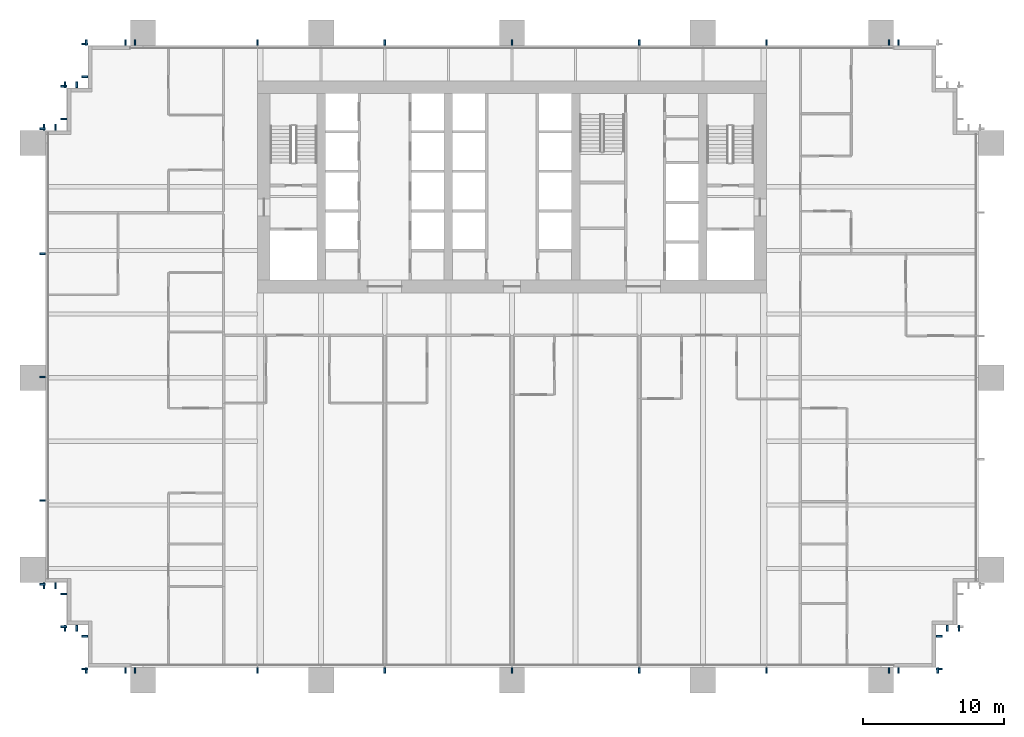
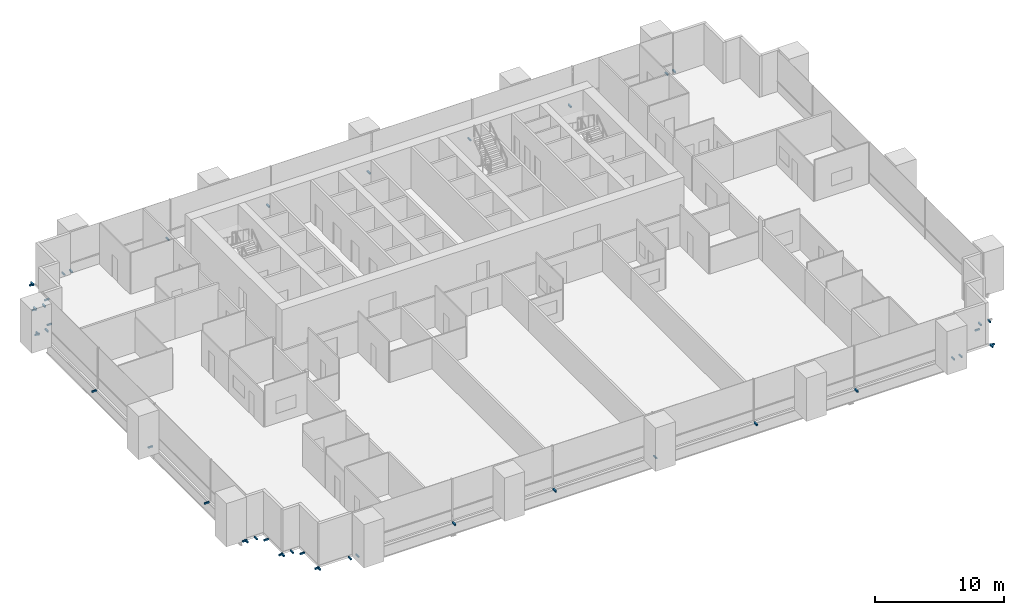
# One storey, part 16 of 18: 46 discrete accessories.
"""IFC4 building model written with IfcOpenShell, lengths in metres."""

import ifcopenshell
import ifcopenshell.guid

model = None  # the IFC model being written
_history = None  # IfcOwnerHistory: only IFC2X3 demands one
_inside = {}  # id of a spatial element -> (the spatial element, [elements in it])
_under = {}  # id of a project, library or spatial element -> (it, [spatial elements below it])
_declared = {}  # id of a project -> (the project, [libraries it declares])
_typed = {}  # id of a type object -> (the type object, [elements of that type])
_made_of = {}  # id of a material, layer set ... -> (it, [elements and type objects made of it])


def new_model(schema):
    """Start an empty IFC model of exactly this schema.

    Asked for "IFC4X3", IfcOpenShell would pick the latest addendum, in which some entities
    have other attributes; the version numbers below select the first issue.
    IFC2X3 requires an IfcOwnerHistory on every rooted entity: one is made here for all.
    """
    global model, _history
    if schema == "IFC4X3":
        model = ifcopenshell.file(schema_version=(4, 3, 0, 0))
    else:
        model = ifcopenshell.file(schema=schema)
    _inside.clear()
    _under.clear()
    _declared.clear()
    _typed.clear()
    _made_of.clear()
    _history = None
    if model.schema == "IFC2X3":
        org = make("IfcOrganization", Name="unknown")
        user = make(
            "IfcPersonAndOrganization",
            ThePerson=make("IfcPerson", FamilyName="unknown"),
            TheOrganization=org,
        )
        app = make(
            "IfcApplication",
            ApplicationDeveloper=org,
            Version="unknown",
            ApplicationFullName="unknown",
            ApplicationIdentifier="unknown",
        )
        _history = make(
            "IfcOwnerHistory",
            OwningUser=user,
            OwningApplication=app,
            ChangeAction="ADDED",
            CreationDate=0,
        )
    return model


def make(cls, **values):
    """One entity of the class cls with the attributes given. An attribute that is None is left unset."""
    return model.create_entity(
        cls, **{name: value for name, value in values.items() if value is not None}
    )


def rooted(cls, **values):
    """An entity with a GlobalId (a new one), such as an element, a storey or a relation."""
    return make(cls, GlobalId=ifcopenshell.guid.new(), OwnerHistory=_history, **values)


def si_unit(unit_type, name, prefix=None):
    """IfcSIUnit, for example si_unit("LENGTHUNIT", "METRE", prefix="MILLI")."""
    return make("IfcSIUnit", UnitType=unit_type, Prefix=prefix, Name=name)


def assignment(units):
    """IfcUnitAssignment: the units of a project."""
    return None if units is None else make("IfcUnitAssignment", Units=units)


def point(xyz):
    """IfcCartesianPoint."""
    return None if xyz is None else make("IfcCartesianPoint", Coordinates=xyz)


def direction(xyz):
    """IfcDirection."""
    return None if xyz is None else make("IfcDirection", DirectionRatios=xyz)


def frame(location, z_axis=None, x_axis=None):
    """IfcAxis2Placement3D, a coordinate frame: its origin and axes. An axis left out is left unset."""
    return make(
        "IfcAxis2Placement3D",
        Location=point(location),
        Axis=direction(z_axis),
        RefDirection=direction(x_axis),
    )


def frame_2d(location, x_axis=None):
    """IfcAxis2Placement2D, a coordinate frame in the plane: its origin and x axis."""
    return make(
        "IfcAxis2Placement2D", Location=point(location), RefDirection=direction(x_axis)
    )


def origin():
    """The frame at (0, 0, 0) with its axes left unset."""
    return frame((0.0, 0.0, 0.0))


def origin_2d():
    """The frame at (0, 0) in the plane with its x axis left unset."""
    return frame_2d((0.0, 0.0))


def place(relative_to, where):
    """IfcLocalPlacement: puts the frame where relative to a parent placement (None: the world)."""
    return make(
        "IfcLocalPlacement", PlacementRelTo=relative_to, RelativePlacement=where
    )


def context(
    kind, dimensions, precision=None, world=None, true_north=None, identifier=None
):
    """IfcGeometricRepresentationContext, for example the 3D "Model" context."""
    return make(
        "IfcGeometricRepresentationContext",
        ContextIdentifier=identifier,
        ContextType=kind,
        CoordinateSpaceDimension=dimensions,
        Precision=precision,
        WorldCoordinateSystem=world,
        TrueNorth=true_north,
    )


def subcontext(parent, identifier, kind, view, scale=None):
    """IfcGeometricRepresentationSubContext, for example "Body" below "Model"."""
    return make(
        "IfcGeometricRepresentationSubContext",
        ContextIdentifier=identifier,
        ContextType=kind,
        ParentContext=parent,
        TargetScale=scale,
        TargetView=view,
    )


def project(units=None, contexts=None):
    """IfcProject with its units and contexts."""
    return rooted(
        "IfcProject",
        Name="project",
        RepresentationContexts=contexts,
        UnitsInContext=assignment(units),
    )


def spatial(cls, under=None, at=None, **own):
    """A site, building, storey or space (cls), placed at a placement, below another one or the project."""
    s = rooted(cls, ObjectPlacement=at, **own)
    if under is not None:
        _under.setdefault(under.id(), (under, []))[1].append(s)
    return s


def profile(cls, at=None, kind="AREA", **sizes):
    """A parametric profile (cls). Its sizes go by their IFC names, for example OverallWidth=200.0."""
    return make(cls, ProfileType=kind, Position=at, **sizes)


def rectangle(**sizes):
    """IfcRectangleProfileDef."""
    return profile("IfcRectangleProfileDef", **sizes)


def extrude(swept, where, along, depth):
    """IfcExtrudedAreaSolid: the profile swept, set in the frame where, extruded along a direction by depth."""
    return make(
        "IfcExtrudedAreaSolid",
        SweptArea=swept,
        Position=where,
        ExtrudedDirection=direction(along),
        Depth=depth,
    )


def shape(context_of_items, identifier, shape_type, items):
    """IfcShapeRepresentation: the items that make up one representation, for example the "Body"."""
    return make(
        "IfcShapeRepresentation",
        ContextOfItems=context_of_items,
        RepresentationIdentifier=identifier,
        RepresentationType=shape_type,
        Items=items,
    )


def made_of(thing, what):
    """Note that an element or type object is made of a material, layer set ...; save() writes the relation."""
    if what is not None:
        _made_of.setdefault(what.id(), (what, []))[1].append(thing)
    return thing


def element(
    cls,
    number,
    at=None,
    inside=None,
    cuts=None,
    type_object=None,
    material=None,
    context=None,
    identifier="Body",
    shape_type=None,
    held_by="IfcProductDefinitionShape",
    body=None,
    shapes=None,
    **own,
):
    """One element of the class cls, such as IfcWall. Its Tag is "e" and its number.

    at: its placement. inside: the storey or other place that contains it. cuts: it is an
    opening in that element (IfcRelVoidsElement). A single representation is given by context,
    identifier, shape_type and body (its items); several are given by shapes. held_by: the class
    of the entity that holds the representations. save() writes the other relations.
    """
    e = rooted(cls, Tag="e%d" % number, ObjectPlacement=at, **own)
    if body is not None:
        shapes = [shape(context, identifier, shape_type, body)]
    if shapes is not None:
        e.Representation = make(held_by, Representations=shapes)
    if inside is not None:
        _inside.setdefault(inside.id(), (inside, []))[1].append(e)
    if cuts is not None:
        rooted(
            "IfcRelVoidsElement", RelatingBuildingElement=cuts, RelatedOpeningElement=e
        )
    if type_object is not None:
        _typed.setdefault(type_object.id(), (type_object, []))[1].append(e)
    return made_of(e, material)


def aggregate(whole, parts):
    """IfcRelAggregates: a whole, such as a stair, and the parts it consists of."""
    return rooted("IfcRelAggregates", RelatingObject=whole, RelatedObjects=parts)


def save(model, path):
    """Write the relations noted so far, then the file.

    IfcRelAggregates (storeys below a building ...), IfcRelContainedInSpatialStructure (elements
    in a storey), IfcRelDefinesByType, IfcRelAssociatesMaterial and IfcRelDeclares: one each for
    every whole, place, type object, material and project.
    """
    for whole, parts in _under.values():
        aggregate(whole, parts)
    for where, things in _inside.values():
        rooted(
            "IfcRelContainedInSpatialStructure",
            RelatedElements=things,
            RelatingStructure=where,
        )
    for kind, things in _typed.values():
        rooted("IfcRelDefinesByType", RelatedObjects=things, RelatingType=kind)
    for what, things in _made_of.values():
        rooted("IfcRelAssociatesMaterial", RelatedObjects=things, RelatingMaterial=what)
    for by, libraries in _declared.values():
        rooted("IfcRelDeclares", RelatingContext=by, RelatedDefinitions=libraries)
    model.write(path)


model = new_model("IFC4")

# Units and contexts
model_context = context("Model", 3, precision=1e-05, world=origin(), true_north=direction((0.0, 1.0)))
body_context = subcontext(model_context, "Body", "Model", "MODEL_VIEW")
ifc_project = project(units=[si_unit("LENGTHUNIT", "METRE"), si_unit("AREAUNIT", "SQUARE_METRE"), si_unit("VOLUMEUNIT", "CUBIC_METRE"), si_unit("PLANEANGLEUNIT", "RADIAN"), si_unit("MASSUNIT", "GRAM", prefix="KILO")], contexts=[model_context])

# Site, building, storey
site_placement = place(None, origin())
site = spatial("IfcSite", under=ifc_project, at=site_placement, CompositionType="ELEMENT")
building_placement = place(site_placement, origin())
building = spatial("IfcBuilding", under=site, at=building_placement, Name="Rattan Terrace Tower", CompositionType="ELEMENT")
storey_placement = place(building_placement, frame((0.0, 0.0, 36.5)))
storey = spatial("IfcBuildingStorey", under=building, at=storey_placement, Name="L07", CompositionType="ELEMENT", Elevation=36.5)

# Discrete accessories
for number, where, z_axis, x_axis, name in (
    (1, (27.340087890625, -34.2099609375, -0.169921875), (0.0, 0.0, 1.0), (1.0, 0.0, 0.0), "Panel bracket L07-1"),
    (2, (30.110107421875, -34.2099609375, -0.169921875), (0.0, 0.0, 1.0), (1.0, 0.0, 0.0), "Panel bracket L07-2"),
    (3, (30.2099609375, -34.110107421875, -0.169921875), (0.0, 0.0, 1.0), (0.0, 1.0, 0.0), "Panel bracket L07-3"),
    (4, (30.2099609375, -31.7900390625, -0.169921875), (0.0, 0.0, 1.0), (0.0, 1.0, 0.0), "Panel bracket L07-4"),
    (5, (30.7900390625, -31.2099609375, -0.169921875), (0.0, 0.0, 1.0), (1.0, 0.0, 0.0), "Panel bracket L07-5"),
    (6, (31.610107421875, -31.2099609375, -0.169921875), (0.0, 0.0, 1.0), (1.0, 0.0, 0.0), "Panel bracket L07-6"),
    (7, (27.340087890625, 10.2099609375, -0.169921875), (0.0, 0.0, 1.0), (-1.0, 0.0, 0.0), "Panel bracket L07-25"),
    (8, (26.659912109375, 10.2099609375, -0.169921875), (0.0, 0.0, 1.0), (-1.0, 0.0, 0.0), "Panel bracket L07-26"),
    (9, (18.0, 10.2099609375, -0.169921875), (0.0, 0.0, 1.0), (-1.0, 0.0, 0.0), "Panel bracket L07-27"),
    (10, (9.0, 10.2099609375, -0.169921875), (0.0, 0.0, 1.0), (-1.0, 0.0, 0.0), "Panel bracket L07-28"),
    (11, (0.0, 10.2099609375, -0.169921875), (0.0, 0.0, 1.0), (-1.0, 0.0, 0.0), "Panel bracket L07-29"),
    (12, (-9.0, 10.2099609375, -0.169921875), (0.0, 0.0, 1.0), (-1.0, 0.0, 0.0), "Panel bracket L07-30"),
    (13, (-18.0, 10.2099609375, -0.169921875), (0.0, 0.0, 1.0), (-1.0, 0.0, 0.0), "Panel bracket L07-31"),
    (14, (-26.659912109375, 10.2099609375, -0.169921875), (0.0, 0.0, 1.0), (-1.0, 0.0, 0.0), "Panel bracket L07-32"),
    (15, (-27.340087890625, 10.2099609375, -0.169921875), (0.0, 0.0, 1.0), (-1.0, 0.0, 0.0), "Panel bracket L07-33"),
    (16, (-30.110107421875, 10.2099609375, -0.169921875), (0.0, 0.0, 1.0), (-1.0, 0.0, 0.0), "Panel bracket L07-34"),
    (17, (-30.2099609375, 10.110107421875, -0.169921875), (0.0, 0.0, 1.0), (0.0, -1.0, 0.0), "Panel bracket L07-35"),
    (18, (-30.2099609375, 7.7900390625, -0.169921875), (0.0, 0.0, 1.0), (0.0, -1.0, 0.0), "Panel bracket L07-36"),
    (19, (-30.7900390625, 7.2099609375, -0.169921875), (0.0, 0.0, 1.0), (-1.0, 0.0, 0.0), "Panel bracket L07-37"),
    (20, (-31.610107421875, 7.2099609375, -0.169921875), (0.0, 0.0, 1.0), (-1.0, 0.0, 0.0), "Panel bracket L07-38"),
    (21, (-31.7099609375, 7.110107421875, -0.169921875), (0.0, 0.0, 1.0), (0.0, -1.0, 0.0), "Panel bracket L07-39"),
    (22, (-31.7099609375, 4.7900390625, -0.169921875), (0.0, 0.0, 1.0), (0.0, -1.0, 0.0), "Panel bracket L07-40"),
    (23, (-32.2900390625, 4.2099609375, -0.169921875), (0.0, 0.0, 1.0), (-1.0, 0.0, 0.0), "Panel bracket L07-41"),
    (24, (-33.110107421875, 4.2099609375, -0.169921875), (0.0, 0.0, 1.0), (-1.0, 0.0, 0.0), "Panel bracket L07-42"),
    (25, (-33.2099609375, 4.110107421875, -0.169921875), (0.0, 0.0, 1.0), (0.0, -1.0, 0.0), "Panel bracket L07-43"),
    (26, (-33.2099609375, -4.72705078125, -0.169921875), (0.0, 0.0, 1.0), (0.0, -1.0, 0.0), "Panel bracket L07-44"),
    (27, (-33.2099609375, -13.4541015625, -0.169921875), (0.0, 0.0, 1.0), (0.0, -1.0, 0.0), "Panel bracket L07-45"),
    (28, (-33.2099609375, -22.180908203125, -0.169921875), (0.0, 0.0, 1.0), (0.0, -1.0, 0.0), "Panel bracket L07-46"),
    (29, (-33.2099609375, -28.110107421875, -0.169921875), (0.0, 0.0, 1.0), (0.0, -1.0, 0.0), "Panel bracket L07-47"),
    (30, (-33.110107421875, -28.2099609375, -0.169921875), (0.0, 0.0, 1.0), (1.0, 0.0, 0.0), "Panel bracket L07-48"),
    (31, (-32.2900390625, -28.2099609375, -0.169921875), (0.0, 0.0, 1.0), (1.0, 0.0, 0.0), "Panel bracket L07-49"),
    (32, (-31.7099609375, -28.7900390625, -0.169921875), (0.0, 0.0, 1.0), (0.0, -1.0, 0.0), "Panel bracket L07-50"),
    (33, (-31.7099609375, -31.110107421875, -0.169921875), (0.0, 0.0, 1.0), (0.0, -1.0, 0.0), "Panel bracket L07-51"),
    (34, (-31.610107421875, -31.2099609375, -0.169921875), (0.0, 0.0, 1.0), (1.0, 0.0, 0.0), "Panel bracket L07-52"),
    (35, (-30.7900390625, -31.2099609375, -0.169921875), (0.0, 0.0, 1.0), (1.0, 0.0, 0.0), "Panel bracket L07-53"),
    (36, (-30.2099609375, -31.7900390625, -0.169921875), (0.0, 0.0, 1.0), (0.0, -1.0, 0.0), "Panel bracket L07-54"),
    (37, (-30.2099609375, -34.110107421875, -0.169921875), (0.0, 0.0, 1.0), (0.0, -1.0, 0.0), "Panel bracket L07-55"),
    (38, (-30.110107421875, -34.2099609375, -0.169921875), (0.0, 0.0, 1.0), (1.0, 0.0, 0.0), "Panel bracket L07-56"),
    (39, (-27.340087890625, -34.2099609375, -0.169921875), (0.0, 0.0, 1.0), (1.0, 0.0, 0.0), "Panel bracket L07-57"),
    (40, (-26.659912109375, -34.2099609375, -0.169921875), (0.0, 0.0, 1.0), (1.0, 0.0, 0.0), "Panel bracket L07-58"),
    (41, (-18.0, -34.2099609375, -0.169921875), (0.0, 0.0, 1.0), (1.0, 0.0, 0.0), "Panel bracket L07-59"),
    (42, (-9.0, -34.2099609375, -0.169921875), (0.0, 0.0, 1.0), (1.0, 0.0, 0.0), "Panel bracket L07-60"),
    (43, (0.0, -34.2099609375, -0.169921875), (0.0, 0.0, 1.0), (1.0, 0.0, 0.0), "Panel bracket L07-61"),
    (44, (9.0, -34.2099609375, -0.169921875), (0.0, 0.0, 1.0), (1.0, 0.0, 0.0), "Panel bracket L07-62"),
    (45, (18.0, -34.2099609375, -0.169921875), (0.0, 0.0, 1.0), (1.0, 0.0, 0.0), "Panel bracket L07-63"),
    (46, (26.659912109375, -34.2099609375, -0.169921875), (0.0, 0.0, 1.0), (1.0, 0.0, 0.0), "Panel bracket L07-64"),
):
    element("IfcDiscreteAccessory", number, at=place(storey_placement, frame(where, z_axis=z_axis, x_axis=x_axis)), inside=storey, Name=name, PredefinedType="BRACKET", context=body_context, shape_type="SweptSolid", body=[
        extrude(rectangle(XDim=0.1201171875, YDim=0.419921875, at=origin_2d()), origin(), (0.0, 0.0, 1.0), 0.139892578125),
    ])

save(model, "model.ifc")
